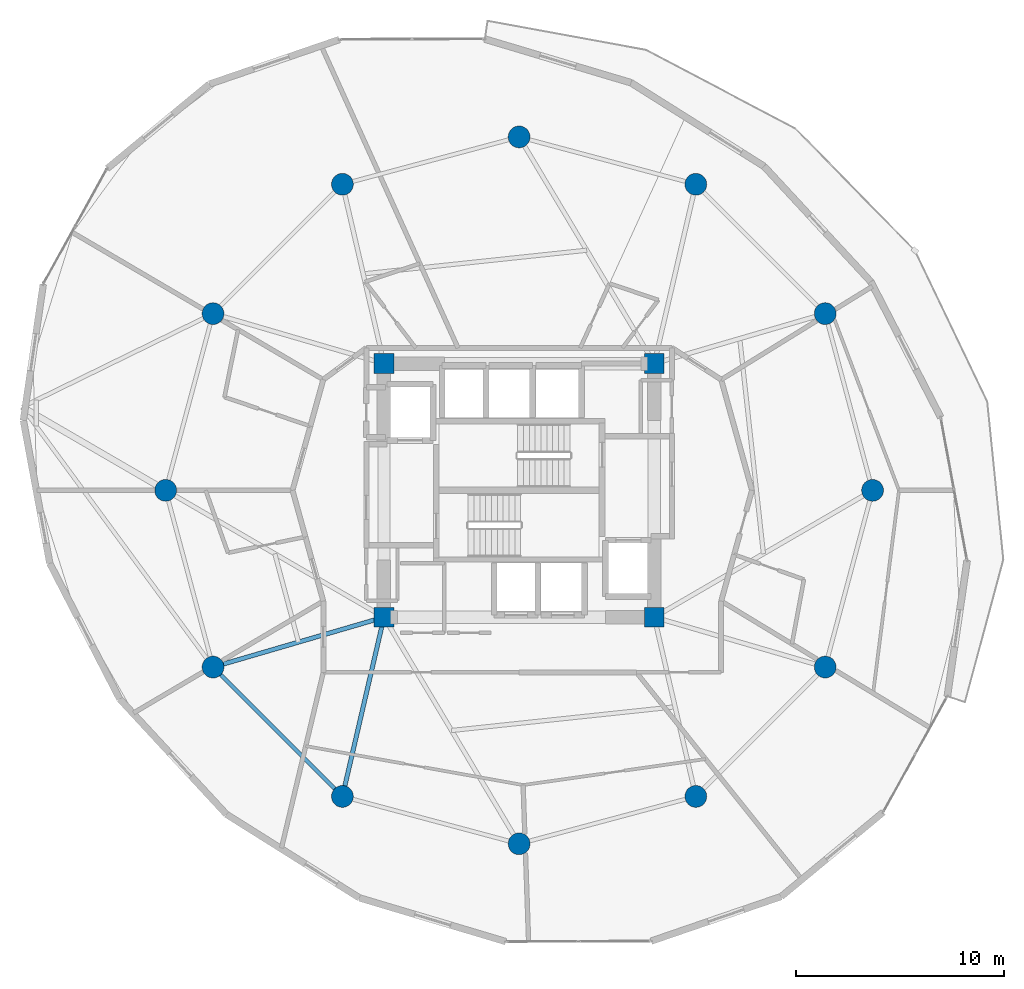
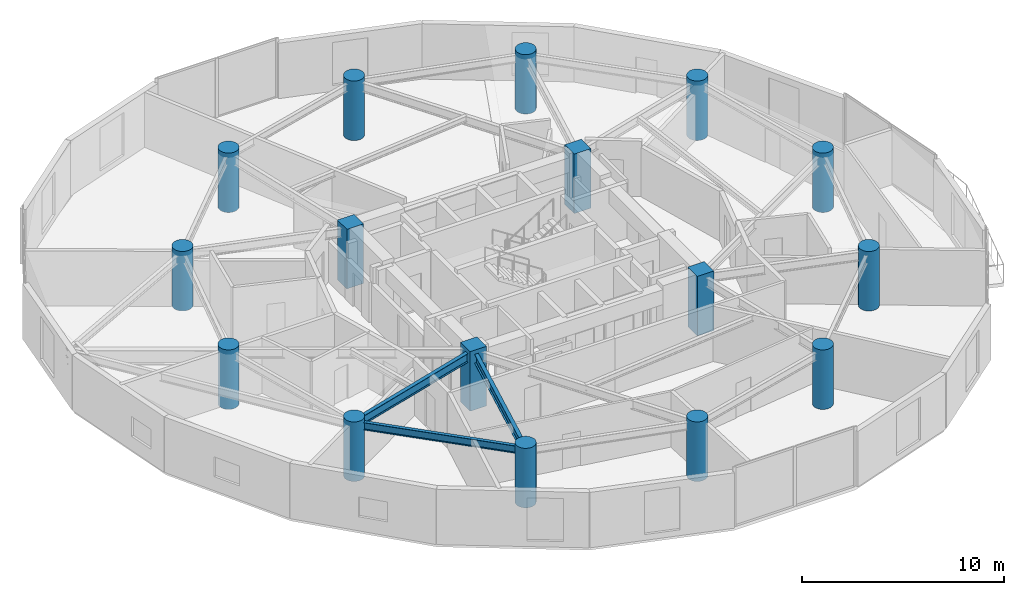
# One storey, part 1 of 21: 16 columns, 3 beams.
"""IFC4 building model written with IfcOpenShell, lengths in metres."""

from ifc_helpers import new_model, si_unit, direction, frame, origin, origin_2d, place, context, subcontext, project, spatial, rectangle, circle, i_section, extrude, material, material_profile, profile_set, type_object, element, save


model = new_model("IFC4")

# Units and contexts
model_context = context("Model", 3, precision=1e-05, world=origin(), true_north=direction((0.0, 1.0)))
body_context = subcontext(model_context, "Body", "Model", "MODEL_VIEW")
ifc_project = project(units=[si_unit("LENGTHUNIT", "METRE"), si_unit("AREAUNIT", "SQUARE_METRE"), si_unit("VOLUMEUNIT", "CUBIC_METRE"), si_unit("PLANEANGLEUNIT", "RADIAN"), si_unit("MASSUNIT", "GRAM", prefix="KILO")], contexts=[model_context])

# Site, building, storey
site_placement = place(None, origin())
site = spatial("IfcSite", under=ifc_project, at=site_placement, CompositionType="ELEMENT")
building_placement = place(site_placement, origin())
building = spatial("IfcBuilding", under=site, at=building_placement, Name="Solvirekh Grand Hotel", CompositionType="ELEMENT")
storey_placement = place(building_placement, frame((0.0, 0.0, 131.39990234375)))
storey = spatial("IfcBuildingStorey", under=building, at=storey_placement, Name="L33", CompositionType="ELEMENT", Elevation=131.39990234375)

# Columns
ifc_material_1 = material(Name="Concrete C50/60", Category="concrete")
ifc_material_profile_1 = material_profile(ifc_material_1, rectangle(XDim=0.949951171875, YDim=0.949951171875, at=origin_2d()), Name="RC 950X950")
ifc_profile_set_1 = profile_set([ifc_material_profile_1], Name="Concrete C50/60")
column_type_1 = type_object("IfcColumnType", Name="Col_Core_950", PredefinedType="COLUMN", material=ifc_profile_set_1)
for number, where, z_axis, x_axis, name in (
    (1, (-6.5, -6.10009765625, 0.0), (0.0, 0.0, 1.0), (1.0, 0.0, 0.0), "L33 core corner column CC1"),
    (2, (6.5, -6.10009765625, 0.0), (0.0, 0.0, 1.0), (1.0, 0.0, 0.0), "L33 core corner column CC2"),
    (3, (6.5, 6.10009765625, 0.0), (0.0, 0.0, 1.0), (1.0, 0.0, 0.0), "L33 core corner column CC3"),
    (4, (-6.5, 6.10009765625, 0.0), (0.0, 0.0, 1.0), (1.0, 0.0, 0.0), "L33 core corner column CC4"),
):
    element("IfcColumn", number, at=place(storey_placement, frame(where, z_axis=z_axis, x_axis=x_axis)), inside=storey, type_object=column_type_1, Name=name, PredefinedType="COLUMN", context=body_context, shape_type="SweptSolid", body=[
        extrude(rectangle(XDim=0.949951171875, YDim=0.949951171875, at=origin_2d()), origin(), (0.0, 0.0, 1.0), 3.60009765625),
    ])
ifc_material_profile_2 = material_profile(ifc_material_1, circle(Radius=0.52490234375, at=origin_2d()), Name="RC CIRC D1050")
ifc_profile_set_2 = profile_set([ifc_material_profile_2], Name="Concrete C50/60")
column_type_2 = type_object("IfcColumnType", Name="Col_Z2_D1050", PredefinedType="COLUMN", material=ifc_profile_set_2)
for number, where, z_axis, x_axis, name in (
    (5, (17.0, 0.0, 0.0), (0.0, 0.0, 1.0), (1.0, 0.0, 0.0), "L33 perimeter column P01"),
    (6, (14.721923828125, 8.5, 0.0), (0.0, 0.0, 1.0), (1.0, 0.0, 0.0), "L33 perimeter column P02"),
    (7, (8.5, 14.721923828125, 0.0), (0.0, 0.0, 1.0), (1.0, 0.0, 0.0), "L33 perimeter column P03"),
    (8, (0.0, 17.0, 0.0), (0.0, 0.0, 1.0), (1.0, 0.0, 0.0), "L33 perimeter column P04"),
    (9, (-8.5, 14.721923828125, 0.0), (0.0, 0.0, 1.0), (1.0, 0.0, 0.0), "L33 perimeter column P05"),
    (10, (-14.721923828125, 8.5, 0.0), (0.0, 0.0, 1.0), (1.0, 0.0, 0.0), "L33 perimeter column P06"),
    (11, (-17.0, 0.0, 0.0), (0.0, 0.0, 1.0), (1.0, 0.0, 0.0), "L33 perimeter column P07"),
    (12, (-14.721923828125, -8.5, 0.0), (0.0, 0.0, 1.0), (1.0, 0.0, 0.0), "L33 perimeter column P08"),
    (13, (-8.5, -14.721923828125, 0.0), (0.0, 0.0, 1.0), (1.0, 0.0, 0.0), "L33 perimeter column P09"),
    (14, (0.0, -17.0, 0.0), (0.0, 0.0, 1.0), (1.0, 0.0, 0.0), "L33 perimeter column P10"),
    (15, (8.5, -14.721923828125, 0.0), (0.0, 0.0, 1.0), (1.0, 0.0, 0.0), "L33 perimeter column P11"),
    (16, (14.721923828125, -8.5, 0.0), (0.0, 0.0, 1.0), (1.0, 0.0, 0.0), "L33 perimeter column P12"),
):
    element("IfcColumn", number, at=place(storey_placement, frame(where, z_axis=z_axis, x_axis=x_axis)), inside=storey, type_object=column_type_2, Name=name, PredefinedType="COLUMN", context=body_context, shape_type="SweptSolid", body=[
        extrude(circle(Radius=0.52490234375, at=origin_2d()), origin(), (0.0, 0.0, 1.0), 3.60009765625),
    ])

# Beams
ifc_material_2 = material(Name="Steel S355", Category="steel")
ifc_material_profile_3 = material_profile(ifc_material_2, i_section(OverallWidth=0.2119140625, OverallDepth=0.5439453125, WebThickness=0.011962890625, FlangeThickness=0.01904296875, FilletRadius=0.013916015625, at=origin_2d()), Name="W530X123")
ifc_profile_set_3 = profile_set([ifc_material_profile_3], Name="Steel S355")
beam_type_1 = type_object("IfcBeamType", Name="Beam_Radial_W530H", PredefinedType="BEAM", material=ifc_profile_set_3)
beam_1_placement = place(storey_placement, frame((-6.5, -6.10009765625, 3.078125), z_axis=(-0.959942195467, -0.28019811092, 0.0), x_axis=(0.28019811092, -0.959942195467, 0.0)))
element("IfcBeam", 17, at=beam_1_placement, inside=storey, type_object=beam_type_1, Name="L33 radial floor beam R08", PredefinedType="BEAM", context=body_context, shape_type="SweptSolid", body=[
    extrude(i_section(OverallWidth=0.2119140625, OverallDepth=0.5439453125, WebThickness=0.011962890625, FlangeThickness=0.01904296875, FilletRadius=0.013916015625, at=origin_2d()), origin(), (0.0, 0.0, 1.0), 8.56494140625),
])
beam_2_placement = place(storey_placement, frame((-6.5, -6.10009765625, 3.078125), z_axis=(-0.225969390542, -0.974134402707, 0.0), x_axis=(0.974134402707, -0.225969390542, 0.0)))
element("IfcBeam", 18, at=beam_2_placement, inside=storey, type_object=beam_type_1, Name="L33 radial floor beam R09", PredefinedType="BEAM", context=body_context, shape_type="SweptSolid", body=[
    extrude(i_section(OverallWidth=0.2119140625, OverallDepth=0.5439453125, WebThickness=0.011962890625, FlangeThickness=0.01904296875, FilletRadius=0.013916015625, at=origin_2d()), origin(), (0.0, 0.0, 1.0), 8.850830078125),
])
ifc_material_profile_4 = material_profile(ifc_material_2, i_section(OverallWidth=0.18994140625, OverallDepth=0.45703125, WebThickness=0.009033203125, FlangeThickness=0.013916015625, FilletRadius=0.012939453125, at=origin_2d()), Name="W460X74")
ifc_profile_set_4 = profile_set([ifc_material_profile_4], Name="Steel S355")
beam_type_2 = type_object("IfcBeamType", Name="Spandrel_Ring_W460", PredefinedType="SPANDREL", material=ifc_profile_set_4)
beam_3_placement = place(storey_placement, frame((-14.721923828125, -8.5, 3.1220703125), z_axis=(0.707106781187, -0.707106781187, 0.0), x_axis=(0.707106781187, 0.707106781187, 0.0)))
element("IfcBeam", 19, at=beam_3_placement, inside=storey, type_object=beam_type_2, Name="L33 perimeter spandrel beam 8", PredefinedType="SPANDREL", context=body_context, shape_type="SweptSolid", body=[
    extrude(i_section(OverallWidth=0.18994140625, OverallDepth=0.45703125, WebThickness=0.009033203125, FlangeThickness=0.013916015625, FilletRadius=0.012939453125, at=origin_2d()), origin(), (0.0, 0.0, 1.0), 8.799072265625),
])

save(model, "model.ifc")
